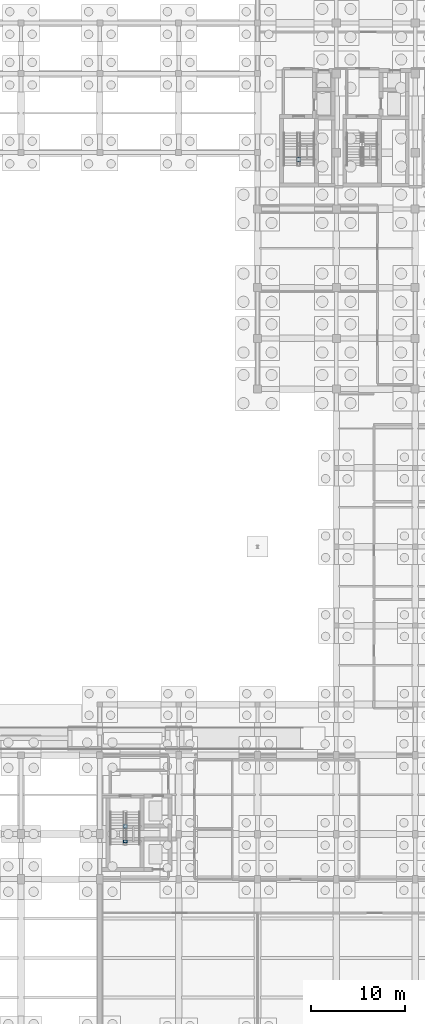
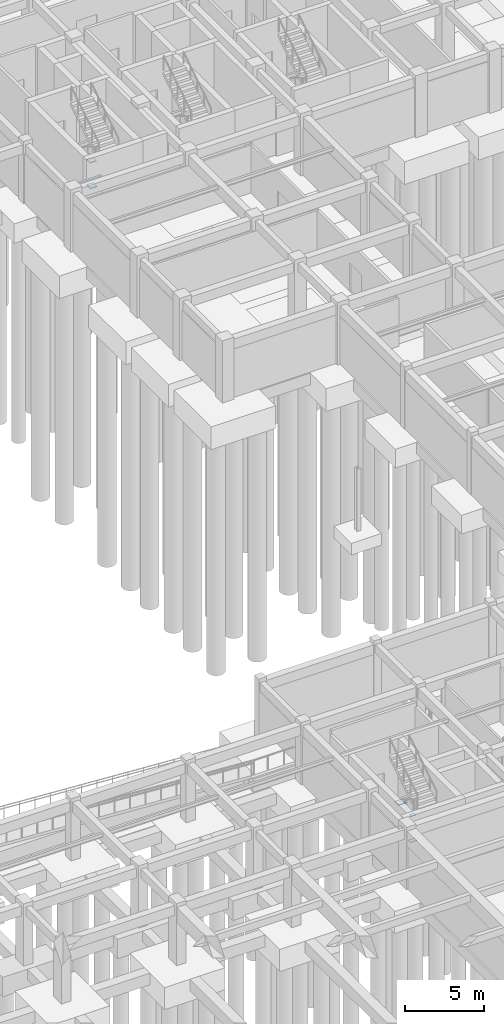
# One storey, part 34 of 49: 6 plates.
"""IFC4 building model written with IfcOpenShell, lengths in metres."""

from ifc_helpers import new_model, si_unit, direction, frame, origin, origin_2d, place, context, subcontext, project, spatial, rectangle, extrude, material, layer, layer_set, type_object, element, save


model = new_model("IFC4")

# Units and contexts
model_context = context("Model", 3, precision=1e-05, world=origin(), true_north=direction((0.0, 1.0)))
body_context = subcontext(model_context, "Body", "Model", "MODEL_VIEW")
ifc_project = project(units=[si_unit("LENGTHUNIT", "METRE"), si_unit("AREAUNIT", "SQUARE_METRE"), si_unit("VOLUMEUNIT", "CUBIC_METRE"), si_unit("PLANEANGLEUNIT", "RADIAN"), si_unit("MASSUNIT", "GRAM", prefix="KILO")], contexts=[model_context])

# Site, building, storey
site_placement = place(None, origin())
site = spatial("IfcSite", under=ifc_project, at=site_placement, CompositionType="ELEMENT")
building_placement = place(site_placement, origin())
building = spatial("IfcBuilding", under=site, at=building_placement, Name="Krzemoval Escarpment Law Courts", CompositionType="ELEMENT")
storey_placement = place(building_placement, frame((0.0, 0.0, -4.800048828125)))
storey = spatial("IfcBuildingStorey", under=building, at=storey_placement, Name="B1", CompositionType="ELEMENT", Elevation=-4.800048828125)

# Plates
ifc_material_1 = material(Name="Steel S355", Category="steel")
ifc_layer_1 = layer(ifc_material_1, 0.034912109375)
ifc_layer_set_1 = layer_set([ifc_layer_1], Name="Steel S355")
plate_type_1 = type_object("IfcPlateType", Name="PLT-FLG-35", PredefinedType="USERDEFINED", material=ifc_layer_set_1)
plate_1_placement = place(storey_placement, frame((130.39990234375, 98.860107421875, 1.95263671875), z_axis=(0.0, 0.0, 1.0), x_axis=(1.0, 0.0, 0.0)))
element("IfcPlate", 1, at=plate_1_placement, inside=storey, type_object=plate_type_1, Name="Gusset and End-Cap Plate ECP-0295", ObjectType="FLANGE_PLATE", PredefinedType="USERDEFINED", context=body_context, shape_type="SweptSolid", body=[
    extrude(rectangle(XDim=0.4599609375, YDim=0.4599609375, at=origin_2d()), origin(), (0.0, 0.0, 1.0), 0.034912109375),
])
ifc_material_2 = material(Name="Steel S355", Category="steel")
ifc_layer_2 = layer(ifc_material_2, 0.0400390625)
ifc_layer_set_2 = layer_set([ifc_layer_2], Name="Steel S355")
plate_type_2 = type_object("IfcPlateType", Name="PLT-FLG-40", PredefinedType="USERDEFINED", material=ifc_layer_set_2)
for number, where, z_axis, x_axis, name in (
    (2, (130.39990234375, 98.860107421875, -0.02001953125), (0.0, 0.0, 1.0), (1.0, 0.0, 0.0), "Gusset and End-Cap Plate ECP-0294"),
    (3, (111.89990234375, 27.820068359375, 1.949951171875), (0.0, 0.0, 1.0), (1.0, 0.0, 0.0), "Gusset and End-Cap Plate ECP-0385"),
):
    element("IfcPlate", number, at=place(storey_placement, frame(where, z_axis=z_axis, x_axis=x_axis)), inside=storey, type_object=plate_type_2, Name=name, ObjectType="FLANGE_PLATE", PredefinedType="USERDEFINED", context=body_context, shape_type="SweptSolid", body=[
        extrude(rectangle(XDim=0.5, YDim=0.5, at=origin_2d()), origin(), (0.0, 0.0, 1.0), 0.0400390625),
    ])
ifc_material_3 = material(Name="Steel S355", Category="steel")
ifc_layer_3 = layer(ifc_material_3, 0.011962890625)
ifc_layer_set_3 = layer_set([ifc_layer_3], Name="Steel S355")
plate_type_3 = type_object("IfcPlateType", Name="PLT-GUS-12", PredefinedType="USERDEFINED", material=ifc_layer_set_3)
plate_2_placement = place(storey_placement, frame((111.89990234375, 27.820068359375, -0.005859375), z_axis=(0.0, 0.0, 1.0), x_axis=(1.0, 0.0, 0.0)))
element("IfcPlate", 4, at=plate_2_placement, inside=storey, type_object=plate_type_3, Name="Gusset and End-Cap Plate ECP-0384", ObjectType="GUSSET_PLATE", PredefinedType="USERDEFINED", context=body_context, shape_type="SweptSolid", body=[
    extrude(rectangle(XDim=0.340087890625, YDim=0.219970703125, at=origin_2d()), origin(), (0.0, 0.0, 1.0), 0.011962890625),
])
ifc_material_4 = material(Name="Steel S355", Category="steel")
ifc_layer_4 = layer(ifc_material_4, 0.01611328125)
ifc_layer_set_4 = layer_set([ifc_layer_4], Name="Steel S355")
plate_type_4 = type_object("IfcPlateType", Name="PLT-GUS-16", PredefinedType="USERDEFINED", material=ifc_layer_set_4)
plate_3_placement = place(storey_placement, frame((111.89990234375, 26.219970703125, 1.9619140625), z_axis=(0.0, 0.0, 1.0), x_axis=(1.0, 0.0, 0.0)))
element("IfcPlate", 5, at=plate_3_placement, inside=storey, type_object=plate_type_4, Name="Gusset and End-Cap Plate ECP-0383", ObjectType="GUSSET_PLATE", PredefinedType="USERDEFINED", context=body_context, shape_type="SweptSolid", body=[
    extrude(rectangle(XDim=0.3798828125, YDim=0.260009765625, at=origin_2d()), origin(), (0.0, 0.0, 1.0), 0.01611328125),
])
ifc_material_5 = material(Name="Steel S355", Category="steel")
ifc_layer_5 = layer(ifc_material_5, 0.02001953125)
ifc_layer_set_5 = layer_set([ifc_layer_5], Name="Steel S355")
plate_type_5 = type_object("IfcPlateType", Name="PLT-GUS-20", PredefinedType="USERDEFINED", material=ifc_layer_set_5)
plate_4_placement = place(storey_placement, frame((111.89990234375, 26.219970703125, -0.010009765625), z_axis=(0.0, 0.0, 1.0), x_axis=(1.0, 0.0, 0.0)))
element("IfcPlate", 6, at=plate_4_placement, inside=storey, type_object=plate_type_5, Name="Gusset and End-Cap Plate ECP-0382", ObjectType="GUSSET_PLATE", PredefinedType="USERDEFINED", context=body_context, shape_type="SweptSolid", body=[
    extrude(rectangle(XDim=0.47998046875, YDim=0.320068359375, at=origin_2d()), origin(), (0.0, 0.0, 1.0), 0.02001953125),
])

save(model, "model.ifc")
